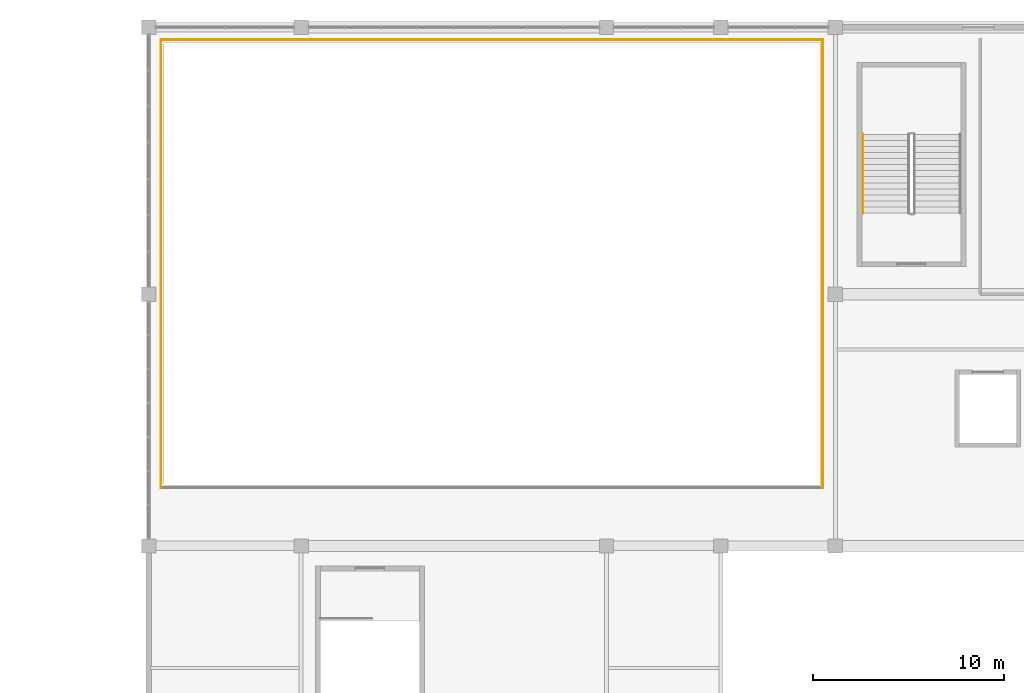
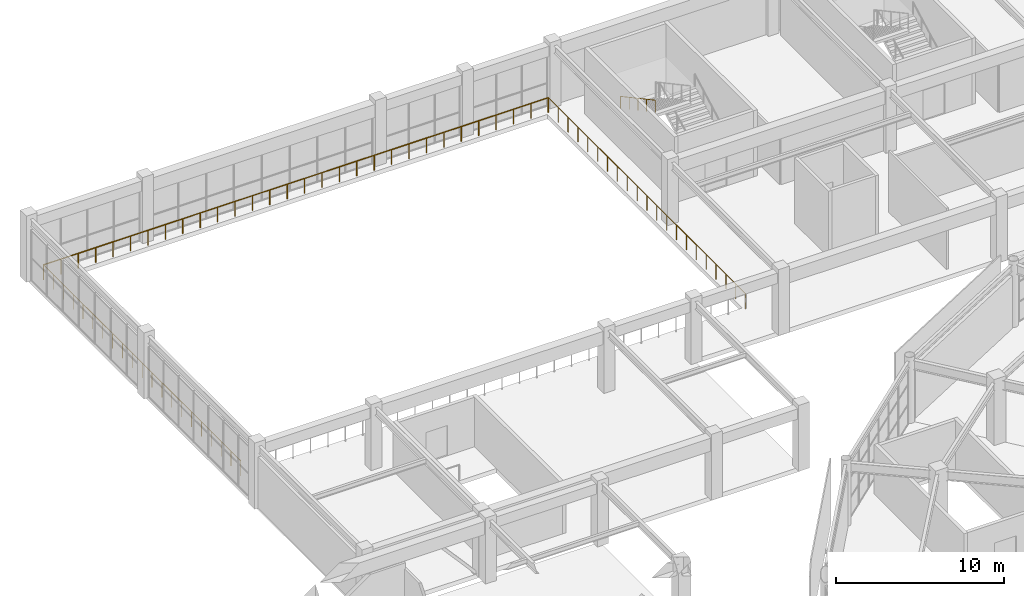
# One storey, part 109 of 112: 4 railings.
"""IFC4 building model written with IfcOpenShell, lengths in metres."""

from ifc_helpers import new_model, si_unit, direction, frame, origin, origin_2d, place, context, subcontext, project, spatial, circle, extrude, material, type_object, element, save


model = new_model("IFC4")

# Units and contexts
model_context = context("Model", 3, precision=1e-05, world=origin(), true_north=direction((0.0, 1.0)))
body_context = subcontext(model_context, "Body", "Model", "MODEL_VIEW")
ifc_project = project(units=[si_unit("LENGTHUNIT", "METRE"), si_unit("AREAUNIT", "SQUARE_METRE"), si_unit("VOLUMEUNIT", "CUBIC_METRE"), si_unit("PLANEANGLEUNIT", "RADIAN"), si_unit("MASSUNIT", "GRAM", prefix="KILO")], contexts=[model_context])

# Site, building, storey
site_placement = place(None, origin())
site = spatial("IfcSite", under=ifc_project, at=site_placement, CompositionType="ELEMENT")
building_placement = place(site_placement, origin())
building = spatial("IfcBuilding", under=site, at=building_placement, Name="Cuetzalor Civic Arena", CompositionType="ELEMENT")
storey_placement = place(building_placement, frame((0.0, 0.0, 11.39990234375)))
storey = spatial("IfcBuildingStorey", under=building, at=storey_placement, Name="L02", CompositionType="ELEMENT", Elevation=11.39990234375)

# Railings
ifc_material_1 = material(Name="Reseda-green architectural Steel S355 balustrade", Category="steel")
railing_type_1 = type_object("IfcRailingType", Name="InteriorVoidBalustrade_1100", PredefinedType="BALUSTRADE", material=ifc_material_1)
railing_1_placement = place(storey_placement, frame((-36.64990234375, 51.35009765625, 0.0)))
element("IfcRailing", 1, at=railing_1_placement, inside=storey, type_object=railing_type_1, Name="Practice Court Mezzanine Void Balustrade L02-2", PredefinedType="BALUSTRADE", context=body_context, shape_type="SweptSolid", body=[
    extrude(circle(Radius=0.02392578125, at=origin_2d()), frame((0.0, 0.0, 1.076171875), z_axis=(0.0, 1.0, 0.0), x_axis=(-1.0, 0.0, 0.0)), (0.0, 0.0, 1.0), 23.5),
    extrude(circle(Radius=0.02099609375, at=origin_2d()), origin(), (0.0, 0.0, 1.0), 1.052001953125),
    extrude(circle(Radius=0.02099609375, at=origin_2d()), frame((0.0, 1.175048828125, 0.0)), (0.0, 0.0, 1.0), 1.052001953125),
    extrude(circle(Radius=0.02099609375, at=origin_2d()), frame((0.0, 2.35009765625, 0.0)), (0.0, 0.0, 1.0), 1.052001953125),
    extrude(circle(Radius=0.02099609375, at=origin_2d()), frame((0.0, 3.52490234375, 0.0)), (0.0, 0.0, 1.0), 1.052001953125),
    extrude(circle(Radius=0.02099609375, at=origin_2d()), frame((0.0, 4.699951171875, 0.0)), (0.0, 0.0, 1.0), 1.052001953125),
    extrude(circle(Radius=0.02099609375, at=origin_2d()), frame((0.0, 5.875, 0.0)), (0.0, 0.0, 1.0), 1.052001953125),
    extrude(circle(Radius=0.02099609375, at=origin_2d()), frame((0.0, 7.050048828125, 0.0)), (0.0, 0.0, 1.0), 1.052001953125),
    extrude(circle(Radius=0.02099609375, at=origin_2d()), frame((0.0, 8.22509765625, 0.0)), (0.0, 0.0, 1.0), 1.052001953125),
    extrude(circle(Radius=0.02099609375, at=origin_2d()), frame((0.0, 9.39990234375, 0.0)), (0.0, 0.0, 1.0), 1.052001953125),
    extrude(circle(Radius=0.02099609375, at=origin_2d()), frame((0.0, 10.574951171875, 0.0)), (0.0, 0.0, 1.0), 1.052001953125),
    extrude(circle(Radius=0.02099609375, at=origin_2d()), frame((0.0, 11.75, 0.0)), (0.0, 0.0, 1.0), 1.052001953125),
    extrude(circle(Radius=0.02099609375, at=origin_2d()), frame((0.0, 12.925048828125, 0.0)), (0.0, 0.0, 1.0), 1.052001953125),
    extrude(circle(Radius=0.02099609375, at=origin_2d()), frame((0.0, 14.10009765625, 0.0)), (0.0, 0.0, 1.0), 1.052001953125),
    extrude(circle(Radius=0.02099609375, at=origin_2d()), frame((0.0, 15.27490234375, 0.0)), (0.0, 0.0, 1.0), 1.052001953125),
    extrude(circle(Radius=0.02099609375, at=origin_2d()), frame((0.0, 16.449951171875, 0.0)), (0.0, 0.0, 1.0), 1.052001953125),
    extrude(circle(Radius=0.02099609375, at=origin_2d()), frame((0.0, 17.625, 0.0)), (0.0, 0.0, 1.0), 1.052001953125),
    extrude(circle(Radius=0.02099609375, at=origin_2d()), frame((0.0, 18.800048828125, 0.0)), (0.0, 0.0, 1.0), 1.052001953125),
    extrude(circle(Radius=0.02099609375, at=origin_2d()), frame((0.0, 19.97509765625, 0.0)), (0.0, 0.0, 1.0), 1.052001953125),
    extrude(circle(Radius=0.02099609375, at=origin_2d()), frame((0.0, 21.14990234375, 0.0)), (0.0, 0.0, 1.0), 1.052001953125),
    extrude(circle(Radius=0.02099609375, at=origin_2d()), frame((0.0, 22.324951171875, 0.0)), (0.0, 0.0, 1.0), 1.052001953125),
    extrude(circle(Radius=0.02099609375, at=origin_2d()), frame((0.0, 23.5, 0.0)), (0.0, 0.0, 1.0), 1.052001953125),
])
railing_2_placement = place(storey_placement, frame((-36.64990234375, 74.85009765625, 0.0)))
element("IfcRailing", 2, at=railing_2_placement, inside=storey, type_object=railing_type_1, Name="Practice Court Mezzanine Void Balustrade L02-3", PredefinedType="BALUSTRADE", context=body_context, shape_type="SweptSolid", body=[
    extrude(circle(Radius=0.02392578125, at=origin_2d()), frame((0.0, 0.0, 1.076171875), z_axis=(-1.0, 0.0, 0.0), x_axis=(0.0, -1.0, 0.0)), (0.0, 0.0, 1.0), 34.7001953125),
    extrude(circle(Radius=0.02099609375, at=origin_2d()), origin(), (0.0, 0.0, 1.0), 1.052001953125),
    extrude(circle(Radius=0.02099609375, at=origin_2d()), frame((-1.196533203125, 0.0, 0.0)), (0.0, 0.0, 1.0), 1.052001953125),
    extrude(circle(Radius=0.02099609375, at=origin_2d()), frame((-2.39306640625, 0.0, 0.0)), (0.0, 0.0, 1.0), 1.052001953125),
    extrude(circle(Radius=0.02099609375, at=origin_2d()), frame((-3.589599609375, 0.0, 0.0)), (0.0, 0.0, 1.0), 1.052001953125),
    extrude(circle(Radius=0.02099609375, at=origin_2d()), frame((-4.7861328125, 0.0, 0.0)), (0.0, 0.0, 1.0), 1.052001953125),
    extrude(circle(Radius=0.02099609375, at=origin_2d()), frame((-5.98291015625, 0.0, 0.0)), (0.0, 0.0, 1.0), 1.052001953125),
    extrude(circle(Radius=0.02099609375, at=origin_2d()), frame((-7.179443359375, 0.0, 0.0)), (0.0, 0.0, 1.0), 1.052001953125),
    extrude(circle(Radius=0.02099609375, at=origin_2d()), frame((-8.3759765625, 0.0, 0.0)), (0.0, 0.0, 1.0), 1.052001953125),
    extrude(circle(Radius=0.02099609375, at=origin_2d()), frame((-9.572509765625, 0.0, 0.0)), (0.0, 0.0, 1.0), 1.052001953125),
    extrude(circle(Radius=0.02099609375, at=origin_2d()), frame((-10.76904296875, 0.0, 0.0)), (0.0, 0.0, 1.0), 1.052001953125),
    extrude(circle(Radius=0.02099609375, at=origin_2d()), frame((-11.965576171875, 0.0, 0.0)), (0.0, 0.0, 1.0), 1.052001953125),
    extrude(circle(Radius=0.02099609375, at=origin_2d()), frame((-13.162109375, 0.0, 0.0)), (0.0, 0.0, 1.0), 1.052001953125),
    extrude(circle(Radius=0.02099609375, at=origin_2d()), frame((-14.358642578125, 0.0, 0.0)), (0.0, 0.0, 1.0), 1.052001953125),
    extrude(circle(Radius=0.02099609375, at=origin_2d()), frame((-15.55517578125, 0.0, 0.0)), (0.0, 0.0, 1.0), 1.052001953125),
    extrude(circle(Radius=0.02099609375, at=origin_2d()), frame((-16.751708984375, 0.0, 0.0)), (0.0, 0.0, 1.0), 1.052001953125),
    extrude(circle(Radius=0.02099609375, at=origin_2d()), frame((-17.948486328125, 0.0, 0.0)), (0.0, 0.0, 1.0), 1.052001953125),
    extrude(circle(Radius=0.02099609375, at=origin_2d()), frame((-19.14501953125, 0.0, 0.0)), (0.0, 0.0, 1.0), 1.052001953125),
    extrude(circle(Radius=0.02099609375, at=origin_2d()), frame((-20.341552734375, 0.0, 0.0)), (0.0, 0.0, 1.0), 1.052001953125),
    extrude(circle(Radius=0.02099609375, at=origin_2d()), frame((-21.5380859375, 0.0, 0.0)), (0.0, 0.0, 1.0), 1.052001953125),
    extrude(circle(Radius=0.02099609375, at=origin_2d()), frame((-22.734619140625, 0.0, 0.0)), (0.0, 0.0, 1.0), 1.052001953125),
    extrude(circle(Radius=0.02099609375, at=origin_2d()), frame((-23.93115234375, 0.0, 0.0)), (0.0, 0.0, 1.0), 1.052001953125),
    extrude(circle(Radius=0.02099609375, at=origin_2d()), frame((-25.127685546875, 0.0, 0.0)), (0.0, 0.0, 1.0), 1.052001953125),
    extrude(circle(Radius=0.02099609375, at=origin_2d()), frame((-26.32421875, 0.0, 0.0)), (0.0, 0.0, 1.0), 1.052001953125),
    extrude(circle(Radius=0.02099609375, at=origin_2d()), frame((-27.520751953125, 0.0, 0.0)), (0.0, 0.0, 1.0), 1.052001953125),
    extrude(circle(Radius=0.02099609375, at=origin_2d()), frame((-28.71728515625, 0.0, 0.0)), (0.0, 0.0, 1.0), 1.052001953125),
    extrude(circle(Radius=0.02099609375, at=origin_2d()), frame((-29.9140625, 0.0, 0.0)), (0.0, 0.0, 1.0), 1.052001953125),
    extrude(circle(Radius=0.02099609375, at=origin_2d()), frame((-31.110595703125, 0.0, 0.0)), (0.0, 0.0, 1.0), 1.052001953125),
    extrude(circle(Radius=0.02099609375, at=origin_2d()), frame((-32.30712890625, 0.0, 0.0)), (0.0, 0.0, 1.0), 1.052001953125),
    extrude(circle(Radius=0.02099609375, at=origin_2d()), frame((-33.503662109375, 0.0, 0.0)), (0.0, 0.0, 1.0), 1.052001953125),
    extrude(circle(Radius=0.02099609375, at=origin_2d()), frame((-34.7001953125, 0.0, 0.0)), (0.0, 0.0, 1.0), 1.052001953125),
])
railing_3_placement = place(storey_placement, frame((-71.35009765625, 74.85009765625, 0.0)))
element("IfcRailing", 3, at=railing_3_placement, inside=storey, type_object=railing_type_1, Name="Practice Court Mezzanine Void Balustrade L02-4", PredefinedType="BALUSTRADE", context=body_context, shape_type="SweptSolid", body=[
    extrude(circle(Radius=0.02392578125, at=origin_2d()), frame((0.0, 0.0, 1.076171875), z_axis=(0.0, -1.0, 0.0), x_axis=(1.0, 0.0, 0.0)), (0.0, 0.0, 1.0), 23.5),
    extrude(circle(Radius=0.02099609375, at=origin_2d()), origin(), (0.0, 0.0, 1.0), 1.052001953125),
    extrude(circle(Radius=0.02099609375, at=origin_2d()), frame((0.0, -1.175048828125, 0.0)), (0.0, 0.0, 1.0), 1.052001953125),
    extrude(circle(Radius=0.02099609375, at=origin_2d()), frame((0.0, -2.35009765625, 0.0)), (0.0, 0.0, 1.0), 1.052001953125),
    extrude(circle(Radius=0.02099609375, at=origin_2d()), frame((0.0, -3.52490234375, 0.0)), (0.0, 0.0, 1.0), 1.052001953125),
    extrude(circle(Radius=0.02099609375, at=origin_2d()), frame((0.0, -4.699951171875, 0.0)), (0.0, 0.0, 1.0), 1.052001953125),
    extrude(circle(Radius=0.02099609375, at=origin_2d()), frame((0.0, -5.875, 0.0)), (0.0, 0.0, 1.0), 1.052001953125),
    extrude(circle(Radius=0.02099609375, at=origin_2d()), frame((0.0, -7.050048828125, 0.0)), (0.0, 0.0, 1.0), 1.052001953125),
    extrude(circle(Radius=0.02099609375, at=origin_2d()), frame((0.0, -8.22509765625, 0.0)), (0.0, 0.0, 1.0), 1.052001953125),
    extrude(circle(Radius=0.02099609375, at=origin_2d()), frame((0.0, -9.39990234375, 0.0)), (0.0, 0.0, 1.0), 1.052001953125),
    extrude(circle(Radius=0.02099609375, at=origin_2d()), frame((0.0, -10.574951171875, 0.0)), (0.0, 0.0, 1.0), 1.052001953125),
    extrude(circle(Radius=0.02099609375, at=origin_2d()), frame((0.0, -11.75, 0.0)), (0.0, 0.0, 1.0), 1.052001953125),
    extrude(circle(Radius=0.02099609375, at=origin_2d()), frame((0.0, -12.925048828125, 0.0)), (0.0, 0.0, 1.0), 1.052001953125),
    extrude(circle(Radius=0.02099609375, at=origin_2d()), frame((0.0, -14.10009765625, 0.0)), (0.0, 0.0, 1.0), 1.052001953125),
    extrude(circle(Radius=0.02099609375, at=origin_2d()), frame((0.0, -15.27490234375, 0.0)), (0.0, 0.0, 1.0), 1.052001953125),
    extrude(circle(Radius=0.02099609375, at=origin_2d()), frame((0.0, -16.449951171875, 0.0)), (0.0, 0.0, 1.0), 1.052001953125),
    extrude(circle(Radius=0.02099609375, at=origin_2d()), frame((0.0, -17.625, 0.0)), (0.0, 0.0, 1.0), 1.052001953125),
    extrude(circle(Radius=0.02099609375, at=origin_2d()), frame((0.0, -18.800048828125, 0.0)), (0.0, 0.0, 1.0), 1.052001953125),
    extrude(circle(Radius=0.02099609375, at=origin_2d()), frame((0.0, -19.97509765625, 0.0)), (0.0, 0.0, 1.0), 1.052001953125),
    extrude(circle(Radius=0.02099609375, at=origin_2d()), frame((0.0, -21.14990234375, 0.0)), (0.0, 0.0, 1.0), 1.052001953125),
    extrude(circle(Radius=0.02099609375, at=origin_2d()), frame((0.0, -22.324951171875, 0.0)), (0.0, 0.0, 1.0), 1.052001953125),
    extrude(circle(Radius=0.02099609375, at=origin_2d()), frame((0.0, -23.5, 0.0)), (0.0, 0.0, 1.0), 1.052001953125),
])
ifc_material_2 = material(Name="Galvanised steel S355", Category="steel")
railing_type_2 = type_object("IfcRailingType", Name="StairPitchHandrail_900", PredefinedType="HANDRAIL", material=ifc_material_2)
railing_4_placement = place(storey_placement, frame((-34.550048828125, 69.884033203125, 2.571533203125)))
element("IfcRailing", 4, at=railing_4_placement, inside=storey, type_object=railing_type_2, Name="L02 ST-24 stair handrail 2", PredefinedType="HANDRAIL", context=body_context, shape_type="SweptSolid", body=[
    extrude(circle(Radius=0.02392578125, at=origin_2d()), frame((0.0, 0.0, 0.8759765625), z_axis=(0.0, -0.880248997335, 0.474512068014), x_axis=(1.0, 0.0, 0.0)), (0.0, 0.0, 1.0), 4.696533203125),
    extrude(circle(Radius=0.02099609375, at=origin_2d()), origin(), (0.0, 0.0, 1.0), 0.851806640625),
    extrude(circle(Radius=0.02099609375, at=origin_2d()), frame((0.0, -1.033447265625, 0.55712890625)), (0.0, 0.0, 1.0), 0.851806640625),
    extrude(circle(Radius=0.02099609375, at=origin_2d()), frame((0.0, -2.06689453125, 1.1142578125)), (0.0, 0.0, 1.0), 0.851806640625),
    extrude(circle(Radius=0.02099609375, at=origin_2d()), frame((0.0, -3.1005859375, 1.67138671875)), (0.0, 0.0, 1.0), 0.851806640625),
    extrude(circle(Radius=0.02099609375, at=origin_2d()), frame((0.0, -4.134033203125, 2.228515625)), (0.0, 0.0, 1.0), 0.851806640625),
])

save(model, "model.ifc")
